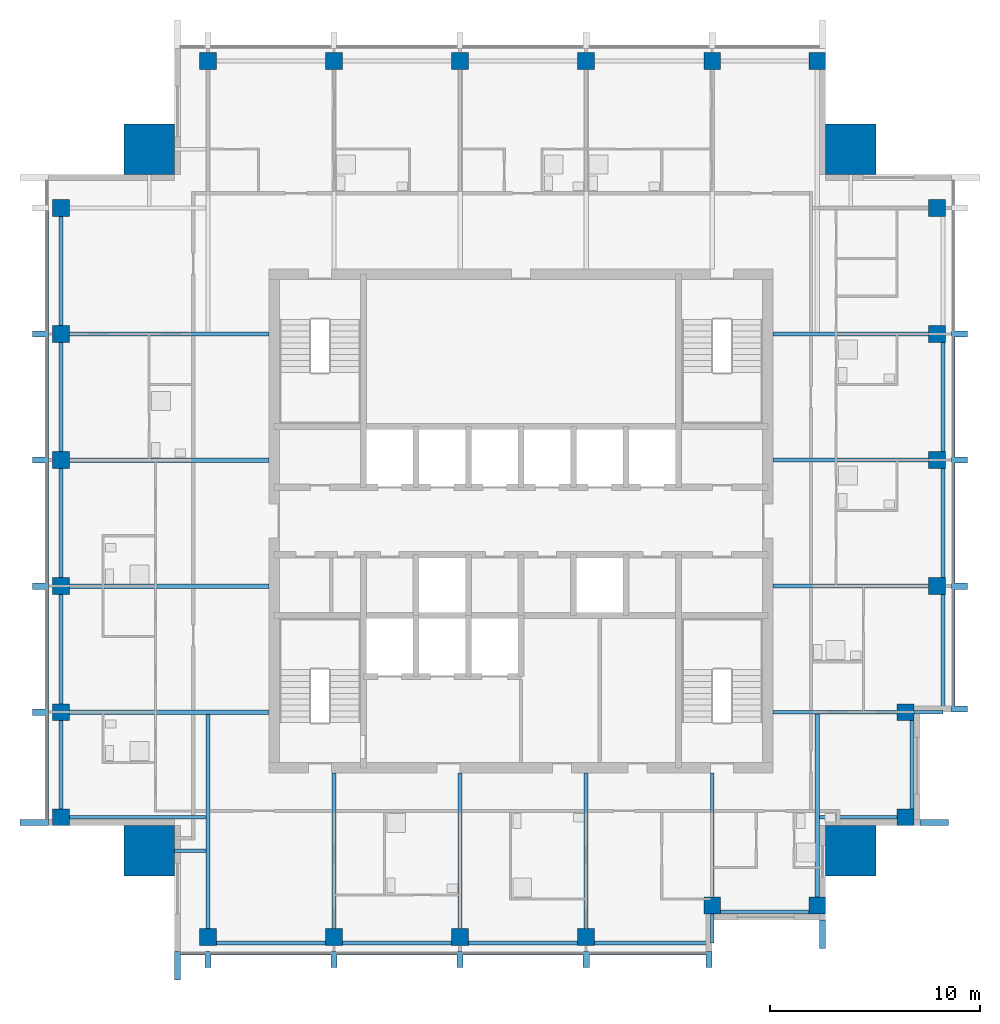
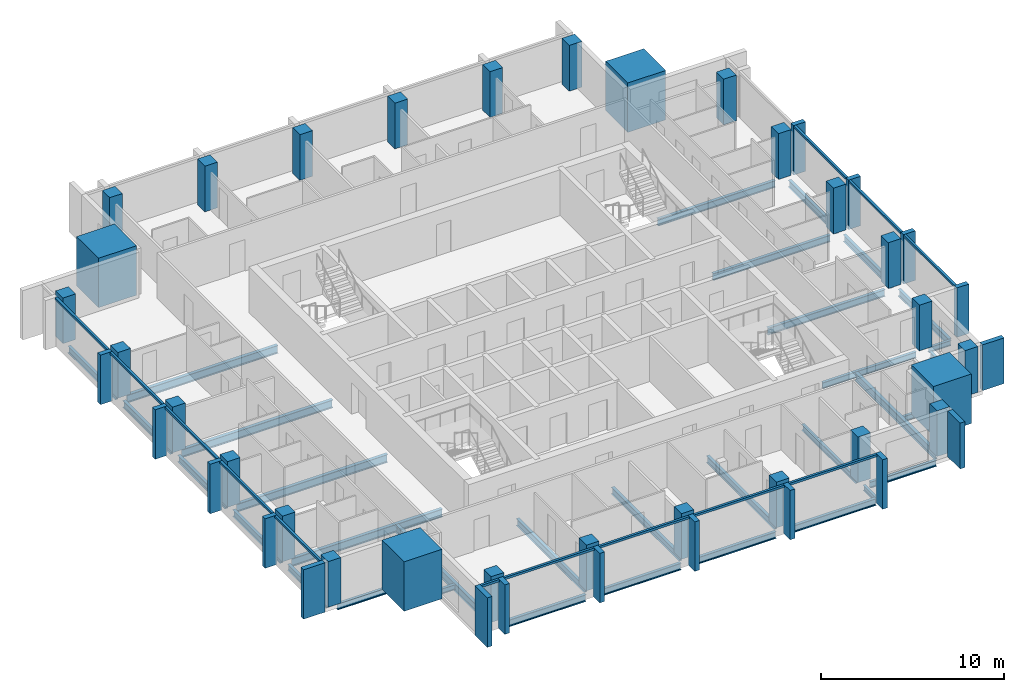
# One storey, part 1 of 9: 33 beams, 30 members, 28 columns, 3 elements without a shape of their own.
"""IFC4 building model written with IfcOpenShell, lengths in metres."""

from ifc_helpers import new_model, si_unit, direction, frame, origin, origin_2d, place, context, subcontext, project, spatial, rectangle, i_section, extrude, material, material_profile, profile_set, type_object, element, aggregate, save


model = new_model("IFC4")

# Units and contexts
model_context = context("Model", 3, precision=1e-05, world=origin(), true_north=direction((0.0, 1.0)))
body_context = subcontext(model_context, "Body", "Model", "MODEL_VIEW")
ifc_project = project(units=[si_unit("LENGTHUNIT", "METRE"), si_unit("AREAUNIT", "SQUARE_METRE"), si_unit("VOLUMEUNIT", "CUBIC_METRE"), si_unit("PLANEANGLEUNIT", "RADIAN"), si_unit("MASSUNIT", "GRAM", prefix="KILO")], contexts=[model_context])

# Site, building, storey
site_placement = place(None, origin())
site = spatial("IfcSite", under=ifc_project, at=site_placement, CompositionType="ELEMENT")
building_placement = place(site_placement, origin())
building = spatial("IfcBuilding", under=site, at=building_placement, Name="Amberfall Residences", CompositionType="ELEMENT")
storey_placement = place(building_placement, frame((0.0, 0.0, 262.0)))
storey = spatial("IfcBuildingStorey", under=building, at=storey_placement, Name="L70", CompositionType="ELEMENT", Elevation=262.0)

# Columns
ifc_material_1 = material(Name="Concrete C50", Category="concrete")
ifc_material_profile_1 = material_profile(ifc_material_1, rectangle(XDim=0.800048828125, YDim=0.800048828125, at=origin_2d()), Name="Column 800 x 800 C50")
ifc_profile_set_1 = profile_set([ifc_material_profile_1], Name="Concrete C50")
column_type_1 = type_object("IfcColumnType", Name="Column 800 x 800 C50", PredefinedType="COLUMN", material=ifc_profile_set_1)
for number, where, z_axis, x_axis, name in (
    (1, (59.60009765625, 25.699951171875, 0.0), (0.0, 0.0, 1.0), (1.0, 0.0, 0.0), "Column C5 L70 S1"),
    (2, (65.60009765625, 25.699951171875, 0.0), (0.0, 0.0, 1.0), (1.0, 0.0, 0.0), "Column C5 L70 S2"),
    (3, (71.60009765625, 25.699951171875, 0.0), (0.0, 0.0, 1.0), (1.0, 0.0, 0.0), "Column C5 L70 S3"),
    (4, (77.60009765625, 25.699951171875, 0.0), (0.0, 0.0, 1.0), (1.0, 0.0, 0.0), "Column C5 L70 S4"),
    (5, (83.60009765625, 27.199951171875, 0.0), (0.0, 0.0, 1.0), (1.0, 0.0, 0.0), "Column C5 L70 S5"),
    (6, (88.60009765625, 27.199951171875, 0.0), (0.0, 0.0, 1.0), (1.0, 0.0, 0.0), "Column C5 L70 S6"),
    (7, (92.800048828125, 31.39990234375, 0.0), (0.0, 0.0, 1.0), (1.0, 0.0, 0.0), "Column C5 L70 E1"),
    (8, (92.800048828125, 36.39990234375, 0.0), (0.0, 0.0, 1.0), (1.0, 0.0, 0.0), "Column C5 L70 E2"),
    (9, (94.300048828125, 42.39990234375, 0.0), (0.0, 0.0, 1.0), (1.0, 0.0, 0.0), "Column C5 L70 E3"),
    (10, (94.300048828125, 48.39990234375, 0.0), (0.0, 0.0, 1.0), (1.0, 0.0, 0.0), "Column C5 L70 E4"),
    (11, (94.300048828125, 54.39990234375, 0.0), (0.0, 0.0, 1.0), (1.0, 0.0, 0.0), "Column C5 L70 E5"),
    (12, (94.300048828125, 60.39990234375, 0.0), (0.0, 0.0, 1.0), (1.0, 0.0, 0.0), "Column C5 L70 E6"),
    (13, (59.60009765625, 67.39990234375, 0.0), (0.0, 0.0, 1.0), (1.0, 0.0, 0.0), "Column C5 L70 N1"),
    (14, (65.60009765625, 67.39990234375, 0.0), (0.0, 0.0, 1.0), (1.0, 0.0, 0.0), "Column C5 L70 N2"),
    (15, (71.60009765625, 67.39990234375, 0.0), (0.0, 0.0, 1.0), (1.0, 0.0, 0.0), "Column C5 L70 N3"),
    (16, (77.60009765625, 67.39990234375, 0.0), (0.0, 0.0, 1.0), (1.0, 0.0, 0.0), "Column C5 L70 N4"),
    (17, (83.60009765625, 67.39990234375, 0.0), (0.0, 0.0, 1.0), (1.0, 0.0, 0.0), "Column C5 L70 N5"),
    (18, (88.60009765625, 67.39990234375, 0.0), (0.0, 0.0, 1.0), (1.0, 0.0, 0.0), "Column C5 L70 N6"),
    (19, (52.60009765625, 31.39990234375, 0.0), (0.0, 0.0, 1.0), (1.0, 0.0, 0.0), "Column C5 L70 W1"),
    (20, (52.60009765625, 36.39990234375, 0.0), (0.0, 0.0, 1.0), (1.0, 0.0, 0.0), "Column C5 L70 W2"),
    (21, (52.60009765625, 42.39990234375, 0.0), (0.0, 0.0, 1.0), (1.0, 0.0, 0.0), "Column C5 L70 W3"),
    (22, (52.60009765625, 48.39990234375, 0.0), (0.0, 0.0, 1.0), (1.0, 0.0, 0.0), "Column C5 L70 W4"),
    (23, (52.60009765625, 54.39990234375, 0.0), (0.0, 0.0, 1.0), (1.0, 0.0, 0.0), "Column C5 L70 W5"),
    (24, (52.60009765625, 60.39990234375, 0.0), (0.0, 0.0, 1.0), (1.0, 0.0, 0.0), "Column C5 L70 W6"),
):
    element("IfcColumn", number, at=place(storey_placement, frame(where, z_axis=z_axis, x_axis=x_axis)), inside=storey, type_object=column_type_1, Name=name, PredefinedType="COLUMN", context=body_context, shape_type="SweptSolid", body=[
        extrude(rectangle(XDim=0.800048828125, YDim=0.800048828125, at=origin_2d()), origin(), (0.0, 0.0, 1.0), 3.050048828125),
    ])
ifc_material_profile_2 = material_profile(ifc_material_1, rectangle(XDim=2.39990234375, YDim=2.39990234375, at=origin_2d()), Name="Mega column 2400 x 2400 C50")
ifc_profile_set_2 = profile_set([ifc_material_profile_2], Name="Concrete C50")
column_type_2 = type_object("IfcColumnType", Name="Mega column 2400 x 2400 C50", PredefinedType="COLUMN", material=ifc_profile_set_2)
for number, where, z_axis, x_axis, name in (
    (25, (56.800048828125, 29.800048828125, 0.0), (0.0, 0.0, 1.0), (1.0, 0.0, 0.0), "Mega column MC11 L70 SW"),
    (26, (90.199951171875, 29.800048828125, 0.0), (0.0, 0.0, 1.0), (1.0, 0.0, 0.0), "Mega column MC11 L70 SE"),
    (27, (90.199951171875, 63.199951171875, 0.0), (0.0, 0.0, 1.0), (1.0, 0.0, 0.0), "Mega column MC11 L70 NE"),
    (28, (56.800048828125, 63.199951171875, 0.0), (0.0, 0.0, 1.0), (1.0, 0.0, 0.0), "Mega column MC11 L70 NW"),
):
    element("IfcColumn", number, at=place(storey_placement, frame(where, z_axis=z_axis, x_axis=x_axis)), inside=storey, type_object=column_type_2, Name=name, PredefinedType="COLUMN", context=body_context, shape_type="SweptSolid", body=[
        extrude(rectangle(XDim=2.39990234375, YDim=2.39990234375, at=origin_2d()), origin(), (0.0, 0.0, 1.0), 3.300048828125),
    ])

# Curtain wall, members
ifc_material_2 = material(Name="Bronze anodised aluminium and glass", Category="aluminium")
curtain_wall_type = type_object("IfcCurtainWallType", Name="Curtain wall CW1 tower unit", PredefinedType="USERDEFINED", material=ifc_material_2)
curtain_wall_1_placement = place(storey_placement, origin())
curtain_wall_1 = element("IfcCurtainWall", 29, at=curtain_wall_1_placement, inside=storey, type_object=curtain_wall_type, Name="Curtain wall L70 S S1", ObjectType="UNITISED CURTAIN WALL", PredefinedType="USERDEFINED")
ifc_material_3 = material(Name="Bronze anodised aluminium", Category="aluminium")
ifc_material_profile_3 = material_profile(ifc_material_3, rectangle(XDim=0.14990234375, YDim=0.14990234375, at=origin_2d()), Name="CW1 transom 150 x 150 bronze")
ifc_profile_set_3 = profile_set([ifc_material_profile_3], Name="Bronze anodised aluminium")
member_type_1 = type_object("IfcMemberType", Name="CW1 transom 150 x 150 bronze", PredefinedType="USERDEFINED", material=ifc_profile_set_3)
member_1_placement = place(storey_placement, frame((58.300048828125, 24.925048828125, 2.97509765625), z_axis=(1.0, 0.0, 0.0), x_axis=(0.0, 1.0, 0.0)))
member_1 = element("IfcMember", 30, at=member_1_placement, type_object=member_type_1, Name="CW1 transom 1.1", ObjectType="TRANSOM", PredefinedType="USERDEFINED", context=body_context, shape_type="SweptSolid", body=[
    extrude(rectangle(XDim=0.14990234375, YDim=0.14990234375, at=origin_2d()), origin(), (0.0, 0.0, 1.0), 1.14990234375),
])
member_2_placement = place(storey_placement, frame((59.75, 24.925048828125, 2.97509765625), z_axis=(1.0, 0.0, 0.0), x_axis=(0.0, 1.0, 0.0)))
member_2 = element("IfcMember", 31, at=member_2_placement, type_object=member_type_1, Name="CW1 transom 2.1", ObjectType="TRANSOM", PredefinedType="USERDEFINED", context=body_context, shape_type="SweptSolid", body=[
    extrude(rectangle(XDim=0.14990234375, YDim=0.14990234375, at=origin_2d()), origin(), (0.0, 0.0, 1.0), 5.699951171875),
])
member_3_placement = place(storey_placement, frame((65.75, 24.925048828125, 2.97509765625), z_axis=(1.0, 0.0, 0.0), x_axis=(0.0, 1.0, 0.0)))
member_3 = element("IfcMember", 32, at=member_3_placement, type_object=member_type_1, Name="CW1 transom 3.1", ObjectType="TRANSOM", PredefinedType="USERDEFINED", context=body_context, shape_type="SweptSolid", body=[
    extrude(rectangle(XDim=0.14990234375, YDim=0.14990234375, at=origin_2d()), origin(), (0.0, 0.0, 1.0), 5.699951171875),
])
member_4_placement = place(storey_placement, frame((71.75, 24.925048828125, 2.97509765625), z_axis=(1.0, 0.0, 0.0), x_axis=(0.0, 1.0, 0.0)))
member_4 = element("IfcMember", 33, at=member_4_placement, type_object=member_type_1, Name="CW1 transom 4.1", ObjectType="TRANSOM", PredefinedType="USERDEFINED", context=body_context, shape_type="SweptSolid", body=[
    extrude(rectangle(XDim=0.14990234375, YDim=0.14990234375, at=origin_2d()), origin(), (0.0, 0.0, 1.0), 5.699951171875),
])
member_5_placement = place(storey_placement, frame((77.75, 24.925048828125, 2.97509765625), z_axis=(1.0, 0.0, 0.0), x_axis=(0.0, 1.0, 0.0)))
member_5 = element("IfcMember", 34, at=member_5_placement, type_object=member_type_1, Name="CW1 transom 5.1", ObjectType="TRANSOM", PredefinedType="USERDEFINED", context=body_context, shape_type="SweptSolid", body=[
    extrude(rectangle(XDim=0.14990234375, YDim=0.14990234375, at=origin_2d()), origin(), (0.0, 0.0, 1.0), 5.550048828125),
])

curtain_wall_2_placement = place(storey_placement, origin())
curtain_wall_2 = element("IfcCurtainWall", 35, at=curtain_wall_2_placement, inside=storey, type_object=curtain_wall_type, Name="Curtain wall L70 E E3", ObjectType="UNITISED CURTAIN WALL", PredefinedType="USERDEFINED")
member_6_placement = place(storey_placement, frame((95.074951171875, 36.699951171875, 2.97509765625), z_axis=(0.0, 1.0, 0.0), x_axis=(-1.0, 0.0, 0.0)))
member_6 = element("IfcMember", 36, at=member_6_placement, type_object=member_type_1, Name="CW1 transom 1.1", ObjectType="TRANSOM", PredefinedType="USERDEFINED", context=body_context, shape_type="SweptSolid", body=[
    extrude(rectangle(XDim=0.14990234375, YDim=0.14990234375, at=origin_2d()), origin(), (0.0, 0.0, 1.0), 5.550048828125),
])
member_7_placement = place(storey_placement, frame((95.074951171875, 42.550048828125, 2.97509765625), z_axis=(0.0, 1.0, 0.0), x_axis=(-1.0, 0.0, 0.0)))
member_7 = element("IfcMember", 37, at=member_7_placement, type_object=member_type_1, Name="CW1 transom 2.1", ObjectType="TRANSOM", PredefinedType="USERDEFINED", context=body_context, shape_type="SweptSolid", body=[
    extrude(rectangle(XDim=0.14990234375, YDim=0.14990234375, at=origin_2d()), origin(), (0.0, 0.0, 1.0), 5.699951171875),
])
member_8_placement = place(storey_placement, frame((95.074951171875, 48.550048828125, 2.97509765625), z_axis=(0.0, 1.0, 0.0), x_axis=(-1.0, 0.0, 0.0)))
member_8 = element("IfcMember", 38, at=member_8_placement, type_object=member_type_1, Name="CW1 transom 3.1", ObjectType="TRANSOM", PredefinedType="USERDEFINED", context=body_context, shape_type="SweptSolid", body=[
    extrude(rectangle(XDim=0.14990234375, YDim=0.14990234375, at=origin_2d()), origin(), (0.0, 0.0, 1.0), 5.699951171875),
])

curtain_wall_3_placement = place(storey_placement, origin())
curtain_wall_3 = element("IfcCurtainWall", 39, at=curtain_wall_3_placement, inside=storey, type_object=curtain_wall_type, Name="Curtain wall L70 W W1", ObjectType="UNITISED CURTAIN WALL", PredefinedType="USERDEFINED")
member_9_placement = place(storey_placement, frame((51.925048828125, 60.25, 2.97509765625), z_axis=(0.0, -1.0, 0.0), x_axis=(1.0, 0.0, 0.0)))
member_9 = element("IfcMember", 40, at=member_9_placement, type_object=member_type_1, Name="CW1 transom 2.1", ObjectType="TRANSOM", PredefinedType="USERDEFINED", context=body_context, shape_type="SweptSolid", body=[
    extrude(rectangle(XDim=0.14990234375, YDim=0.14990234375, at=origin_2d()), origin(), (0.0, 0.0, 1.0), 5.699951171875),
])
member_10_placement = place(storey_placement, frame((51.925048828125, 54.25, 2.97509765625), z_axis=(0.0, -1.0, 0.0), x_axis=(1.0, 0.0, 0.0)))
member_10 = element("IfcMember", 41, at=member_10_placement, type_object=member_type_1, Name="CW1 transom 3.1", ObjectType="TRANSOM", PredefinedType="USERDEFINED", context=body_context, shape_type="SweptSolid", body=[
    extrude(rectangle(XDim=0.14990234375, YDim=0.14990234375, at=origin_2d()), origin(), (0.0, 0.0, 1.0), 5.699951171875),
])
member_11_placement = place(storey_placement, frame((51.925048828125, 48.25, 2.97509765625), z_axis=(0.0, -1.0, 0.0), x_axis=(1.0, 0.0, 0.0)))
member_11 = element("IfcMember", 42, at=member_11_placement, type_object=member_type_1, Name="CW1 transom 4.1", ObjectType="TRANSOM", PredefinedType="USERDEFINED", context=body_context, shape_type="SweptSolid", body=[
    extrude(rectangle(XDim=0.14990234375, YDim=0.14990234375, at=origin_2d()), origin(), (0.0, 0.0, 1.0), 5.699951171875),
])
member_12_placement = place(storey_placement, frame((51.925048828125, 42.25, 2.97509765625), z_axis=(0.0, -1.0, 0.0), x_axis=(1.0, 0.0, 0.0)))
member_12 = element("IfcMember", 43, at=member_12_placement, type_object=member_type_1, Name="CW1 transom 5.1", ObjectType="TRANSOM", PredefinedType="USERDEFINED", context=body_context, shape_type="SweptSolid", body=[
    extrude(rectangle(XDim=0.14990234375, YDim=0.14990234375, at=origin_2d()), origin(), (0.0, 0.0, 1.0), 5.699951171875),
])
member_13_placement = place(storey_placement, frame((51.925048828125, 36.25, 2.97509765625), z_axis=(0.0, -1.0, 0.0), x_axis=(1.0, 0.0, 0.0)))
member_13 = element("IfcMember", 44, at=member_13_placement, type_object=member_type_1, Name="CW1 transom 6.1", ObjectType="TRANSOM", PredefinedType="USERDEFINED", context=body_context, shape_type="SweptSolid", body=[
    extrude(rectangle(XDim=0.14990234375, YDim=0.14990234375, at=origin_2d()), origin(), (0.0, 0.0, 1.0), 4.949951171875),
])

# Beams
ifc_material_4 = material(Name="Steel S355", Category="steel")
ifc_material_profile_4 = material_profile(ifc_material_4, i_section(OverallWidth=0.171142578125, OverallDepth=0.351318359375, WebThickness=0.007080078125, FlangeThickness=0.009765625, FilletRadius=0.01025390625, at=origin_2d()), Name="UB 356x171x45")
ifc_profile_set_4 = profile_set([ifc_material_profile_4], Name="Steel S355")
beam_type_1 = type_object("IfcBeamType", Name="Cantilever girder UB 356x171x45", PredefinedType="BEAM", material=ifc_profile_set_4)
for number, where, z_axis, x_axis, name in (
    (45, (83.60009765625, 26.800048828125, -0.42578125), (0.0, -1.0, 0.0), (1.0, 0.0, 0.0), "Cantilever girder B8 L70 06"),
    (46, (93.199951171875, 36.39990234375, -0.42578125), (1.0, 0.0, 0.0), (0.0, 1.0, 0.0), "Cantilever girder B8 L70 18"),
):
    element("IfcBeam", number, at=place(storey_placement, frame(where, z_axis=z_axis, x_axis=x_axis)), inside=storey, type_object=beam_type_1, Name=name, PredefinedType="BEAM", context=body_context, shape_type="SweptSolid", body=[
        extrude(i_section(OverallWidth=0.171142578125, OverallDepth=0.351318359375, WebThickness=0.007080078125, FlangeThickness=0.009765625, FilletRadius=0.01025390625, at=origin_2d()), origin(), (0.0, 0.0, 1.0), 1.400146484375),
    ])

# Member
ifc_material_profile_5 = material_profile(ifc_material_3, rectangle(XDim=1.35009765625, YDim=0.300048828125, at=origin_2d()), Name="Corner fin 300 x 1350 bronze")
ifc_profile_set_5 = profile_set([ifc_material_profile_5], Name="Bronze anodised aluminium")
member_type_2 = type_object("IfcMemberType", Name="Corner fin 300 x 1350 bronze", PredefinedType="MULLION", material=ifc_profile_set_5)
member_14_placement = place(storey_placement, frame((58.14990234375, 24.324951171875, -0.25), z_axis=(0.0, 0.0, 1.0), x_axis=(0.0, 1.0, 0.0)))
member_14 = element("IfcMember", 47, at=member_14_placement, type_object=member_type_2, Name="CW FIN 1", PredefinedType="MULLION", context=body_context, shape_type="SweptSolid", body=[
    extrude(rectangle(XDim=1.35009765625, YDim=0.300048828125, at=origin_2d()), origin(), (0.0, 0.0, 1.0), 3.300048828125),
])

member_15_placement = place(storey_placement, frame((51.324951171875, 31.14990234375, -0.25), z_axis=(0.0, 0.0, 1.0), x_axis=(1.0, 0.0, 0.0)))
member_15 = element("IfcMember", 48, at=member_15_placement, type_object=member_type_2, Name="CW FIN 7", PredefinedType="MULLION", context=body_context, shape_type="SweptSolid", body=[
    extrude(rectangle(XDim=1.35009765625, YDim=0.300048828125, at=origin_2d()), origin(), (0.0, 0.0, 1.0), 3.300048828125),
])

# Beams
ifc_material_profile_6 = material_profile(ifc_material_4, i_section(OverallWidth=0.177734375, OverallDepth=0.402587890625, WebThickness=0.0078125, FlangeThickness=0.010986328125, FilletRadius=0.01025390625, at=origin_2d()), Name="UB 406x178x54")
ifc_profile_set_6 = profile_set([ifc_material_profile_6], Name="Steel S355")
beam_type_2 = type_object("IfcBeamType", Name="Edge beam UB 406x178x54", PredefinedType="SPANDREL", material=ifc_profile_set_6)
for number, where, z_axis, x_axis, name in (
    (49, (84.0, 26.89990234375, -0.451416015625), (1.0, 0.0, 0.0), (0.0, 1.0, 0.0), "Edge beam B14 L70 05"),
    (50, (93.10009765625, 31.800048828125, -0.451416015625), (0.0, 1.0, 0.0), (-1.0, 0.0, 0.0), "Edge beam B14 L70 13"),
    (51, (52.60009765625, 31.800048828125, -0.451416015625), (0.0, 1.0, 0.0), (-1.0, 0.0, 0.0), "Edge beam B14 L70 36"),
):
    element("IfcBeam", number, at=place(storey_placement, frame(where, z_axis=z_axis, x_axis=x_axis)), inside=storey, type_object=beam_type_2, Name=name, PredefinedType="SPANDREL", context=body_context, shape_type="SweptSolid", body=[
        extrude(i_section(OverallWidth=0.177734375, OverallDepth=0.402587890625, WebThickness=0.0078125, FlangeThickness=0.010986328125, FilletRadius=0.01025390625, at=origin_2d()), origin(), (0.0, 0.0, 1.0), 4.199951171875),
    ])
ifc_material_profile_7 = material_profile(ifc_material_4, i_section(OverallWidth=0.18994140625, OverallDepth=0.453369140625, WebThickness=0.008544921875, FlangeThickness=0.0126953125, FilletRadius=0.01025390625, at=origin_2d()), Name="UB 457x191x67")
ifc_profile_set_7 = profile_set([ifc_material_profile_7], Name="Steel S355")
beam_type_3 = type_object("IfcBeamType", Name="Edge beam UB 457x191x67", PredefinedType="SPANDREL", material=ifc_profile_set_7)
for number, where, z_axis, x_axis, name in (
    (52, (60.0, 25.39990234375, -0.476806640625), (1.0, 0.0, 0.0), (0.0, 1.0, 0.0), "Edge beam B1 L70 01"),
    (53, (66.0, 25.39990234375, -0.476806640625), (1.0, 0.0, 0.0), (0.0, 1.0, 0.0), "Edge beam B1 L70 02"),
    (54, (72.0, 25.39990234375, -0.476806640625), (1.0, 0.0, 0.0), (0.0, 1.0, 0.0), "Edge beam B1 L70 03"),
):
    element("IfcBeam", number, at=place(storey_placement, frame(where, z_axis=z_axis, x_axis=x_axis)), inside=storey, type_object=beam_type_3, Name=name, PredefinedType="SPANDREL", context=body_context, shape_type="SweptSolid", body=[
        extrude(i_section(OverallWidth=0.18994140625, OverallDepth=0.453369140625, WebThickness=0.008544921875, FlangeThickness=0.0126953125, FilletRadius=0.01025390625, at=origin_2d()), origin(), (0.0, 0.0, 1.0), 5.199951171875),
    ])
for number, where, z_axis, x_axis, name in (
    (55, (78.0, 25.39990234375, -0.476806640625), (1.0, 0.0, 0.0), (0.0, 1.0, 0.0), "Edge beam B1 L70 04"),
    (56, (94.60009765625, 36.47998046875, -0.476806640625), (0.0, 1.0, 0.0), (-1.0, 0.0, 0.0), "Edge beam B1 L70 14"),
):
    element("IfcBeam", number, at=place(storey_placement, frame(where, z_axis=z_axis, x_axis=x_axis)), inside=storey, type_object=beam_type_3, Name=name, PredefinedType="SPANDREL", context=body_context, shape_type="SweptSolid", body=[
        extrude(i_section(OverallWidth=0.18994140625, OverallDepth=0.453369140625, WebThickness=0.008544921875, FlangeThickness=0.0126953125, FilletRadius=0.01025390625, at=origin_2d()), origin(), (0.0, 0.0, 1.0), 5.52001953125),
    ])
for number, where, z_axis, x_axis, name in (
    (57, (94.60009765625, 42.800048828125, -0.476806640625), (0.0, 1.0, 0.0), (-1.0, 0.0, 0.0), "Edge beam B1 L70 15"),
    (58, (94.60009765625, 48.800048828125, -0.476806640625), (0.0, 1.0, 0.0), (-1.0, 0.0, 0.0), "Edge beam B1 L70 16"),
    (59, (52.60009765625, 36.800048828125, -0.476806640625), (0.0, 1.0, 0.0), (-1.0, 0.0, 0.0), "Edge beam B1 L70 37"),
    (60, (52.60009765625, 42.800048828125, -0.476806640625), (0.0, 1.0, 0.0), (-1.0, 0.0, 0.0), "Edge beam B1 L70 38"),
    (61, (52.60009765625, 48.800048828125, -0.476806640625), (0.0, 1.0, 0.0), (-1.0, 0.0, 0.0), "Edge beam B1 L70 39"),
    (62, (52.60009765625, 54.800048828125, -0.476806640625), (0.0, 1.0, 0.0), (-1.0, 0.0, 0.0), "Edge beam B1 L70 40"),
):
    element("IfcBeam", number, at=place(storey_placement, frame(where, z_axis=z_axis, x_axis=x_axis)), inside=storey, type_object=beam_type_3, Name=name, PredefinedType="SPANDREL", context=body_context, shape_type="SweptSolid", body=[
        extrude(i_section(OverallWidth=0.18994140625, OverallDepth=0.453369140625, WebThickness=0.008544921875, FlangeThickness=0.0126953125, FilletRadius=0.01025390625, at=origin_2d()), origin(), (0.0, 0.0, 1.0), 5.199951171875),
    ])

# Member
ifc_material_profile_8 = material_profile(ifc_material_3, rectangle(XDim=0.75, YDim=0.300048828125, at=origin_2d()), Name="Fin 300 x 750 bronze")
ifc_profile_set_8 = profile_set([ifc_material_profile_8], Name="Bronze anodised aluminium")
member_type_3 = type_object("IfcMemberType", Name="Fin 300 x 750 bronze", PredefinedType="MULLION", material=ifc_profile_set_8)
member_16_placement = place(storey_placement, frame((59.60009765625, 24.625, -0.25), z_axis=(0.0, 0.0, 1.0), x_axis=(0.0, 1.0, 0.0)))
member_16 = element("IfcMember", 63, at=member_16_placement, type_object=member_type_3, Name="CW FIN 2", PredefinedType="MULLION", context=body_context, shape_type="SweptSolid", body=[
    extrude(rectangle(XDim=0.75, YDim=0.300048828125, at=origin_2d()), origin(), (0.0, 0.0, 1.0), 3.300048828125),
])

member_17_placement = place(storey_placement, frame((65.60009765625, 24.625, -0.25), z_axis=(0.0, 0.0, 1.0), x_axis=(0.0, 1.0, 0.0)))
member_17 = element("IfcMember", 64, at=member_17_placement, type_object=member_type_3, Name="CW FIN 3", PredefinedType="MULLION", context=body_context, shape_type="SweptSolid", body=[
    extrude(rectangle(XDim=0.75, YDim=0.300048828125, at=origin_2d()), origin(), (0.0, 0.0, 1.0), 3.300048828125),
])

member_18_placement = place(storey_placement, frame((71.60009765625, 24.625, -0.25), z_axis=(0.0, 0.0, 1.0), x_axis=(0.0, 1.0, 0.0)))
member_18 = element("IfcMember", 65, at=member_18_placement, type_object=member_type_3, Name="CW FIN 4", PredefinedType="MULLION", context=body_context, shape_type="SweptSolid", body=[
    extrude(rectangle(XDim=0.75, YDim=0.300048828125, at=origin_2d()), origin(), (0.0, 0.0, 1.0), 3.300048828125),
])

member_19_placement = place(storey_placement, frame((77.60009765625, 24.625, -0.25), z_axis=(0.0, 0.0, 1.0), x_axis=(0.0, 1.0, 0.0)))
member_19 = element("IfcMember", 66, at=member_19_placement, type_object=member_type_3, Name="CW FIN 5", PredefinedType="MULLION", context=body_context, shape_type="SweptSolid", body=[
    extrude(rectangle(XDim=0.75, YDim=0.300048828125, at=origin_2d()), origin(), (0.0, 0.0, 1.0), 3.300048828125),
])

member_20_placement = place(storey_placement, frame((83.449951171875, 24.625, -0.25), z_axis=(0.0, 0.0, 1.0), x_axis=(0.0, 1.0, 0.0)))
member_20 = element("IfcMember", 67, at=member_20_placement, type_object=member_type_3, Name="CW FIN 6", PredefinedType="MULLION", context=body_context, shape_type="SweptSolid", body=[
    extrude(rectangle(XDim=0.75, YDim=0.300048828125, at=origin_2d()), origin(), (0.0, 0.0, 1.0), 3.300048828125),
])

aggregate(curtain_wall_1, [member_14, member_16, member_17, member_18, member_19, member_20, member_1, member_2, member_3, member_4, member_5])

member_21_placement = place(storey_placement, frame((95.375, 36.550048828125, -0.25), z_axis=(0.0, 0.0, 1.0), x_axis=(-1.0, 0.0, 0.0)))
member_21 = element("IfcMember", 68, at=member_21_placement, type_object=member_type_3, Name="CW FIN 1", PredefinedType="MULLION", context=body_context, shape_type="SweptSolid", body=[
    extrude(rectangle(XDim=0.75, YDim=0.300048828125, at=origin_2d()), origin(), (0.0, 0.0, 1.0), 3.300048828125),
])

member_22_placement = place(storey_placement, frame((95.375, 42.39990234375, -0.25), z_axis=(0.0, 0.0, 1.0), x_axis=(-1.0, 0.0, 0.0)))
member_22 = element("IfcMember", 69, at=member_22_placement, type_object=member_type_3, Name="CW FIN 2", PredefinedType="MULLION", context=body_context, shape_type="SweptSolid", body=[
    extrude(rectangle(XDim=0.75, YDim=0.300048828125, at=origin_2d()), origin(), (0.0, 0.0, 1.0), 3.300048828125),
])

member_23_placement = place(storey_placement, frame((95.375, 48.39990234375, -0.25), z_axis=(0.0, 0.0, 1.0), x_axis=(-1.0, 0.0, 0.0)))
member_23 = element("IfcMember", 70, at=member_23_placement, type_object=member_type_3, Name="CW FIN 3", PredefinedType="MULLION", context=body_context, shape_type="SweptSolid", body=[
    extrude(rectangle(XDim=0.75, YDim=0.300048828125, at=origin_2d()), origin(), (0.0, 0.0, 1.0), 3.300048828125),
])

member_24_placement = place(storey_placement, frame((95.375, 54.39990234375, -0.25), z_axis=(0.0, 0.0, 1.0), x_axis=(-1.0, 0.0, 0.0)))
member_24 = element("IfcMember", 71, at=member_24_placement, type_object=member_type_3, Name="CW FIN 4", PredefinedType="MULLION", context=body_context, shape_type="SweptSolid", body=[
    extrude(rectangle(XDim=0.75, YDim=0.300048828125, at=origin_2d()), origin(), (0.0, 0.0, 1.0), 3.300048828125),
])

aggregate(curtain_wall_2, [member_21, member_22, member_23, member_24, member_6, member_7, member_8])

member_25_placement = place(storey_placement, frame((51.625, 54.39990234375, -0.25), z_axis=(0.0, 0.0, 1.0), x_axis=(1.0, 0.0, 0.0)))
member_25 = element("IfcMember", 72, at=member_25_placement, type_object=member_type_3, Name="CW FIN 3", PredefinedType="MULLION", context=body_context, shape_type="SweptSolid", body=[
    extrude(rectangle(XDim=0.75, YDim=0.300048828125, at=origin_2d()), origin(), (0.0, 0.0, 1.0), 3.300048828125),
])

member_26_placement = place(storey_placement, frame((51.625, 48.39990234375, -0.25), z_axis=(0.0, 0.0, 1.0), x_axis=(1.0, 0.0, 0.0)))
member_26 = element("IfcMember", 73, at=member_26_placement, type_object=member_type_3, Name="CW FIN 4", PredefinedType="MULLION", context=body_context, shape_type="SweptSolid", body=[
    extrude(rectangle(XDim=0.75, YDim=0.300048828125, at=origin_2d()), origin(), (0.0, 0.0, 1.0), 3.300048828125),
])

member_27_placement = place(storey_placement, frame((51.625, 42.39990234375, -0.25), z_axis=(0.0, 0.0, 1.0), x_axis=(1.0, 0.0, 0.0)))
member_27 = element("IfcMember", 74, at=member_27_placement, type_object=member_type_3, Name="CW FIN 5", PredefinedType="MULLION", context=body_context, shape_type="SweptSolid", body=[
    extrude(rectangle(XDim=0.75, YDim=0.300048828125, at=origin_2d()), origin(), (0.0, 0.0, 1.0), 3.300048828125),
])

member_28_placement = place(storey_placement, frame((51.625, 36.39990234375, -0.25), z_axis=(0.0, 0.0, 1.0), x_axis=(1.0, 0.0, 0.0)))
member_28 = element("IfcMember", 75, at=member_28_placement, type_object=member_type_3, Name="CW FIN 6", PredefinedType="MULLION", context=body_context, shape_type="SweptSolid", body=[
    extrude(rectangle(XDim=0.75, YDim=0.300048828125, at=origin_2d()), origin(), (0.0, 0.0, 1.0), 3.300048828125),
])

aggregate(curtain_wall_3, [member_25, member_26, member_27, member_28, member_15, member_9, member_10, member_11, member_12, member_13])

# Beams
ifc_material_profile_9 = material_profile(ifc_material_4, i_section(OverallWidth=0.171142578125, OverallDepth=0.351318359375, WebThickness=0.007080078125, FlangeThickness=0.009765625, FilletRadius=0.01025390625, at=origin_2d()), Name="UB 356x171x45")
ifc_profile_set_9 = profile_set([ifc_material_profile_9], Name="Steel S355")
beam_type_4 = type_object("IfcBeamType", Name="Floor girder UB 356x171x45", PredefinedType="BEAM", material=ifc_profile_set_9)
beam_1_placement = place(storey_placement, frame((92.39990234375, 31.39990234375, -0.42578125), z_axis=(-1.0, 0.0, 0.0), x_axis=(0.0, -1.0, 0.0)))
element("IfcBeam", 76, at=beam_1_placement, inside=storey, type_object=beam_type_4, Name="Floor girder B11 L70 19", PredefinedType="BEAM", context=body_context, shape_type="SweptSolid", body=[
    extrude(i_section(OverallWidth=0.171142578125, OverallDepth=0.351318359375, WebThickness=0.007080078125, FlangeThickness=0.009765625, FilletRadius=0.01025390625, at=origin_2d()), origin(), (0.0, 0.0, 1.0), 3.679931640625),
])
ifc_material_profile_10 = material_profile(ifc_material_4, i_section(OverallWidth=0.177734375, OverallDepth=0.402587890625, WebThickness=0.0078125, FlangeThickness=0.010986328125, FilletRadius=0.01025390625, at=origin_2d()), Name="UB 406x178x54")
ifc_profile_set_10 = profile_set([ifc_material_profile_10], Name="Steel S355")
beam_type_5 = type_object("IfcBeamType", Name="Floor girder UB 406x178x54", PredefinedType="BEAM", material=ifc_profile_set_10)
for number, where, z_axis, x_axis, name in (
    (77, (83.60009765625, 27.60009765625, -0.451416015625), (0.0, 1.0, 0.0), (-1.0, 0.0, 0.0), "Floor girder B4 L70 11"),
    (78, (92.39990234375, 36.39990234375, -0.451416015625), (-1.0, 0.0, 0.0), (0.0, -1.0, 0.0), "Floor girder B4 L70 20"),
):
    element("IfcBeam", number, at=place(storey_placement, frame(where, z_axis=z_axis, x_axis=x_axis)), inside=storey, type_object=beam_type_5, Name=name, PredefinedType="BEAM", context=body_context, shape_type="SweptSolid", body=[
        extrude(i_section(OverallWidth=0.177734375, OverallDepth=0.402587890625, WebThickness=0.0078125, FlangeThickness=0.010986328125, FilletRadius=0.01025390625, at=origin_2d()), origin(), (0.0, 0.0, 1.0), 5.89990234375),
    ])
beam_2_placement = place(storey_placement, frame((53.0, 31.39990234375, -0.451416015625), z_axis=(1.0, 0.0, 0.0), x_axis=(0.0, 1.0, 0.0)))
element("IfcBeam", 79, at=beam_2_placement, inside=storey, type_object=beam_type_5, Name="Floor girder B4 L70 41", PredefinedType="BEAM", context=body_context, shape_type="SweptSolid", body=[
    extrude(i_section(OverallWidth=0.177734375, OverallDepth=0.402587890625, WebThickness=0.0078125, FlangeThickness=0.010986328125, FilletRadius=0.01025390625, at=origin_2d()), origin(), (0.0, 0.0, 1.0), 6.47998046875),
])
ifc_material_profile_11 = material_profile(ifc_material_4, i_section(OverallWidth=0.19140625, OverallDepth=0.4599609375, WebThickness=0.010009765625, FlangeThickness=0.01611328125, FilletRadius=0.01025390625, at=origin_2d()), Name="UB 457x191x82")
ifc_profile_set_11 = profile_set([ifc_material_profile_11], Name="Steel S355")
beam_type_6 = type_object("IfcBeamType", Name="Floor girder UB 457x191x82", PredefinedType="BEAM", material=ifc_profile_set_11)
for number, where, z_axis, x_axis, name in (
    (80, (65.60009765625, 26.10009765625, -0.47998046875), (0.0, 1.0, 0.0), (-1.0, 0.0, 0.0), "Floor girder B10 L70 08"),
    (81, (71.60009765625, 26.10009765625, -0.47998046875), (0.0, 1.0, 0.0), (-1.0, 0.0, 0.0), "Floor girder B10 L70 09"),
    (82, (77.60009765625, 26.10009765625, -0.47998046875), (0.0, 1.0, 0.0), (-1.0, 0.0, 0.0), "Floor girder B10 L70 10"),
    (83, (93.89990234375, 42.39990234375, -0.47998046875), (-1.0, 0.0, 0.0), (0.0, -1.0, 0.0), "Floor girder B10 L70 21"),
    (84, (93.89990234375, 48.39990234375, -0.47998046875), (-1.0, 0.0, 0.0), (0.0, -1.0, 0.0), "Floor girder B10 L70 22"),
    (85, (93.89990234375, 54.39990234375, -0.47998046875), (-1.0, 0.0, 0.0), (0.0, -1.0, 0.0), "Floor girder B10 L70 23"),
):
    element("IfcBeam", number, at=place(storey_placement, frame(where, z_axis=z_axis, x_axis=x_axis)), inside=storey, type_object=beam_type_6, Name=name, PredefinedType="BEAM", context=body_context, shape_type="SweptSolid", body=[
        extrude(i_section(OverallWidth=0.19140625, OverallDepth=0.4599609375, WebThickness=0.010009765625, FlangeThickness=0.01611328125, FilletRadius=0.01025390625, at=origin_2d()), origin(), (0.0, 0.0, 1.0), 7.39990234375),
    ])
ifc_material_profile_12 = material_profile(ifc_material_4, i_section(OverallWidth=0.209228515625, OverallDepth=0.533203125, WebThickness=0.010009765625, FlangeThickness=0.015625, FilletRadius=0.0126953125, at=origin_2d()), Name="UB 533x210x92")
ifc_profile_set_12 = profile_set([ifc_material_profile_12], Name="Steel S355")
beam_type_7 = type_object("IfcBeamType", Name="Floor girder UB 533x210x92", PredefinedType="BEAM", material=ifc_profile_set_12)
beam_3_placement = place(storey_placement, frame((59.60009765625, 26.10009765625, -0.5166015625), z_axis=(0.0, 1.0, 0.0), x_axis=(-1.0, 0.0, 0.0)))
element("IfcBeam", 86, at=beam_3_placement, inside=storey, type_object=beam_type_7, Name="Floor girder B3 L70 07", PredefinedType="BEAM", context=body_context, shape_type="SweptSolid", body=[
    extrude(i_section(OverallWidth=0.209228515625, OverallDepth=0.533203125, WebThickness=0.010009765625, FlangeThickness=0.015625, FilletRadius=0.0126953125, at=origin_2d()), origin(), (0.0, 0.0, 1.0), 10.2001953125),
])
beam_4_placement = place(storey_placement, frame((88.60009765625, 27.60009765625, -0.5166015625), z_axis=(0.0, 1.0, 0.0), x_axis=(-1.0, 0.0, 0.0)))
element("IfcBeam", 87, at=beam_4_placement, inside=storey, type_object=beam_type_7, Name="Floor girder B3 L70 12", PredefinedType="BEAM", context=body_context, shape_type="SweptSolid", body=[
    extrude(i_section(OverallWidth=0.209228515625, OverallDepth=0.533203125, WebThickness=0.010009765625, FlangeThickness=0.015625, FilletRadius=0.0126953125, at=origin_2d()), origin(), (0.0, 0.0, 1.0), 8.716064453125),
])
for number, where, z_axis, x_axis, name in (
    (88, (53.0, 36.39990234375, -0.5166015625), (1.0, 0.0, 0.0), (0.0, 1.0, 0.0), "Floor girder B3 L70 42"),
    (89, (53.0, 42.39990234375, -0.5166015625), (1.0, 0.0, 0.0), (0.0, 1.0, 0.0), "Floor girder B3 L70 43"),
    (90, (53.0, 48.39990234375, -0.5166015625), (1.0, 0.0, 0.0), (0.0, 1.0, 0.0), "Floor girder B3 L70 44"),
    (91, (53.0, 54.39990234375, -0.5166015625), (1.0, 0.0, 0.0), (0.0, 1.0, 0.0), "Floor girder B3 L70 45"),
):
    element("IfcBeam", number, at=place(storey_placement, frame(where, z_axis=z_axis, x_axis=x_axis)), inside=storey, type_object=beam_type_7, Name=name, PredefinedType="BEAM", context=body_context, shape_type="SweptSolid", body=[
        extrude(i_section(OverallWidth=0.209228515625, OverallDepth=0.533203125, WebThickness=0.010009765625, FlangeThickness=0.015625, FilletRadius=0.0126953125, at=origin_2d()), origin(), (0.0, 0.0, 1.0), 9.5),
    ])
ifc_material_profile_13 = material_profile(ifc_material_4, i_section(OverallWidth=0.171142578125, OverallDepth=0.351318359375, WebThickness=0.007080078125, FlangeThickness=0.009765625, FilletRadius=0.01025390625, at=origin_2d()), Name="UB 356x171x45")
ifc_profile_set_13 = profile_set([ifc_material_profile_13], Name="Steel S355")
beam_type_8 = type_object("IfcBeamType", Name="Link beam UB 356x171x45", PredefinedType="BEAM", material=ifc_profile_set_13)
beam_5_placement = place(storey_placement, frame((58.0, 29.800048828125, -0.42578125), z_axis=(1.0, 0.0, 0.0), x_axis=(0.0, 1.0, 0.0)))
element("IfcBeam", 92, at=beam_5_placement, inside=storey, type_object=beam_type_8, Name="Link beam B7 L70 47", PredefinedType="BEAM", context=body_context, shape_type="SweptSolid", body=[
    extrude(i_section(OverallWidth=0.171142578125, OverallDepth=0.351318359375, WebThickness=0.007080078125, FlangeThickness=0.009765625, FilletRadius=0.01025390625, at=origin_2d()), origin(), (0.0, 0.0, 1.0), 1.50537109375),
])

# Members
ifc_material_profile_14 = material_profile(ifc_material_3, rectangle(XDim=1.35009765625, YDim=0.300048828125, at=origin_2d()), Name="Stone corner fin 300 x 1350 bronze")
ifc_profile_set_14 = profile_set([ifc_material_profile_14], Name="Bronze anodised aluminium")
member_type_4 = type_object("IfcMemberType", Name="Stone corner fin 300 x 1350 bronze", PredefinedType="MEMBER", material=ifc_profile_set_14)
for number, where, z_axis, x_axis, name in (
    (93, (88.85009765625, 25.824951171875, 0.0), (0.0, 0.0, 1.0), (0.0, 1.0, 0.0), "Corner fin S"),
    (94, (94.175048828125, 31.14990234375, 0.0), (0.0, 0.0, 1.0), (-1.0, 0.0, 0.0), "Corner fin E"),
):
    element("IfcMember", number, at=place(storey_placement, frame(where, z_axis=z_axis, x_axis=x_axis)), inside=storey, type_object=member_type_4, Name=name, PredefinedType="MEMBER", context=body_context, shape_type="SweptSolid", body=[
        extrude(rectangle(XDim=1.35009765625, YDim=0.300048828125, at=origin_2d()), origin(), (0.0, 0.0, 1.0), 3.050048828125),
    ])

save(model, "model.ifc")
